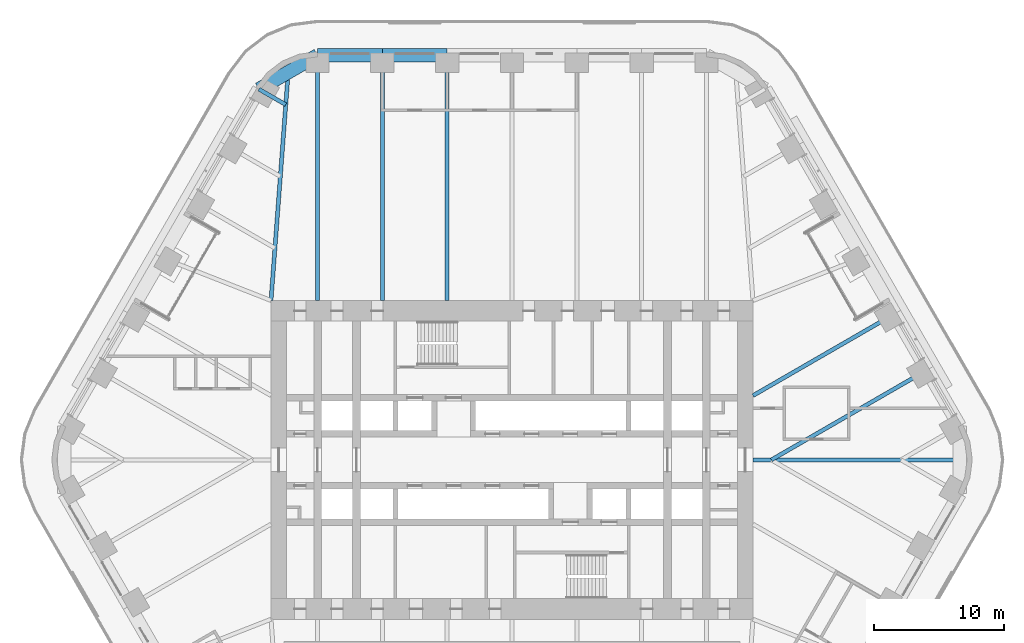
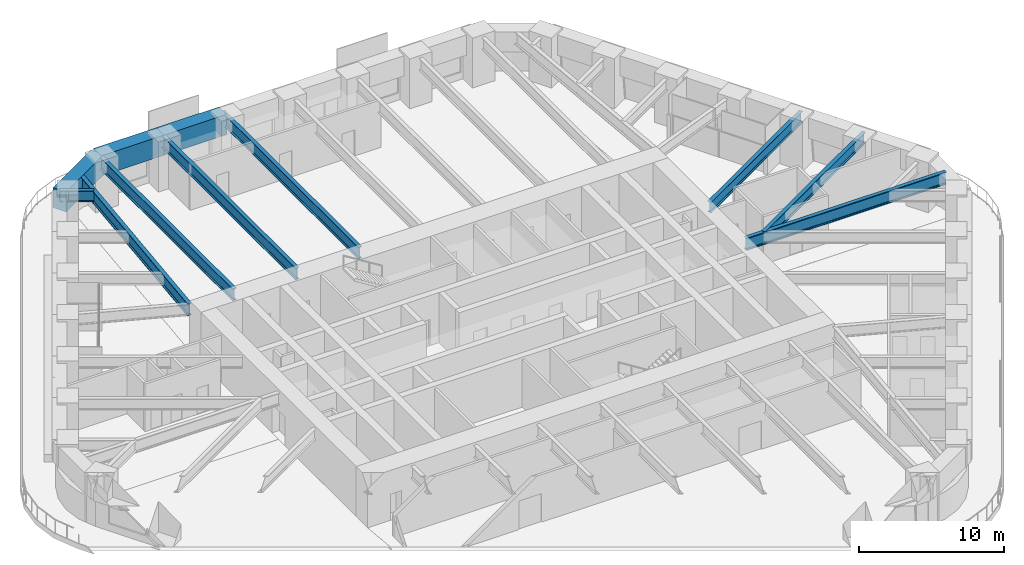
# One storey, part 10 of 24: 11 beams.
"""IFC4 building model written with IfcOpenShell, lengths in metres."""

from ifc_helpers import new_model, si_unit, direction, frame, origin, origin_2d, place, context, subcontext, project, spatial, rectangle, i_section, extrude, material, material_profile, profile_set, type_object, element, save


model = new_model("IFC4")

# Units and contexts
model_context = context("Model", 3, precision=1e-05, world=origin(), true_north=direction((0.0, 1.0)))
body_context = subcontext(model_context, "Body", "Model", "MODEL_VIEW")
ifc_project = project(units=[si_unit("LENGTHUNIT", "METRE"), si_unit("AREAUNIT", "SQUARE_METRE"), si_unit("VOLUMEUNIT", "CUBIC_METRE"), si_unit("PLANEANGLEUNIT", "RADIAN"), si_unit("MASSUNIT", "GRAM", prefix="KILO")], contexts=[model_context])

# Site, building, storey
site_placement = place(None, origin())
site = spatial("IfcSite", under=ifc_project, at=site_placement, CompositionType="ELEMENT")
building_placement = place(site_placement, origin())
building = spatial("IfcBuilding", under=site, at=building_placement, Name="Tarfa Lantern Tower", CompositionType="ELEMENT")
storey_placement = place(building_placement, frame((0.0, 0.0, 127.89990234375)))
storey = spatial("IfcBuildingStorey", under=building, at=storey_placement, Name="L28", CompositionType="ELEMENT", Elevation=127.89990234375)

# Beams
ifc_material_1 = material(Name="Concrete C80/95", Category="concrete")
ifc_material_profile_1 = material_profile(ifc_material_1, rectangle(XDim=1.050048828125, YDim=1.699951171875, at=origin_2d()), Name="RC 1050x1700")
ifc_profile_set_1 = profile_set([ifc_material_profile_1], Name="Concrete C80/95")
beam_type_1 = type_object("IfcBeamType", Name="RB2 RC 1050x1700", PredefinedType="BEAM", material=ifc_profile_set_1)
for number, where, z_axis, x_axis, name in (
    (1, (-5.003662109375, 31.219970703125, 3.150146484375), (-1.0, 0.0, 0.0), (0.0, -1.0, 0.0), "Edge beam N4"),
    (2, (-10.00732421875, 31.219970703125, 3.150146484375), (-1.0, 0.0, 0.0), (0.0, -1.0, 0.0), "Edge beam N5"),
):
    element("IfcBeam", number, at=place(storey_placement, frame(where, z_axis=z_axis, x_axis=x_axis)), inside=storey, type_object=beam_type_1, Name=name, PredefinedType="BEAM", context=body_context, shape_type="SweptSolid", body=[
        extrude(rectangle(XDim=1.050048828125, YDim=1.699951171875, at=origin_2d()), origin(), (0.0, 0.0, 1.0), 5.003662109375),
    ])
beam_1_placement = place(storey_placement, frame((-15.010986328125, 31.219970703125, 3.150146484375), z_axis=(-0.86604150238, -0.499972115377, 0.0), x_axis=(0.499972115377, -0.86604150238, 0.0)))
element("IfcBeam", 3, at=beam_1_placement, inside=storey, type_object=beam_type_1, Name="Edge beam N6", PredefinedType="BEAM", context=body_context, shape_type="SweptSolid", body=[
    extrude(rectangle(XDim=1.050048828125, YDim=1.699951171875, at=origin_2d()), origin(), (0.0, 0.0, 1.0), 5.219970703125),
])
ifc_material_2 = material(Name="Steel S460M", Category="steel")
ifc_material_profile_2 = material_profile(ifc_material_2, i_section(OverallWidth=0.302001953125, OverallDepth=1.008056640625, WebThickness=0.02099609375, FlangeThickness=0.0400390625, FilletRadius=0.030029296875, at=origin_2d()), Name="UB1016x305x349")
ifc_profile_set_2 = profile_set([ifc_material_profile_2], Name="Steel S460M")
beam_type_2 = type_object("IfcBeamType", Name="UB1016x305x349", PredefinedType="BEAM", material=ifc_profile_set_2)
for number, where, z_axis, x_axis, name in (
    (4, (-5.003662109375, 31.219970703125, 3.49609375), (0.0, -1.0, 0.0), (1.0, 0.0, 0.0), "Floor beam N4"),
    (5, (-10.00732421875, 31.219970703125, 3.49609375), (0.0, -1.0, 0.0), (1.0, 0.0, 0.0), "Floor beam N5"),
    (6, (-15.010986328125, 31.219970703125, 3.49609375), (0.0, -1.0, 0.0), (1.0, 0.0, 0.0), "Floor beam N6"),
):
    element("IfcBeam", number, at=place(storey_placement, frame(where, z_axis=z_axis, x_axis=x_axis)), inside=storey, type_object=beam_type_2, Name=name, PredefinedType="BEAM", context=body_context, shape_type="SweptSolid", body=[
        extrude(i_section(OverallWidth=0.302001953125, OverallDepth=1.008056640625, WebThickness=0.02099609375, FlangeThickness=0.0400390625, FilletRadius=0.030029296875, at=origin_2d()), origin(), (0.0, 0.0, 1.0), 18.919921875),
    ])
ifc_material_profile_3 = material_profile(ifc_material_2, i_section(OverallWidth=0.30859375, OverallDepth=1.036376953125, WebThickness=0.030029296875, FlangeThickness=0.05419921875, FilletRadius=0.030029296875, at=origin_2d()), Name="UB1016x305x487")
ifc_profile_set_3 = profile_set([ifc_material_profile_3], Name="Steel S460M")
beam_type_3 = type_object("IfcBeamType", Name="UB1016x305x487", PredefinedType="BEAM", material=ifc_profile_set_3)
beam_2_placement = place(storey_placement, frame((18.60009765625, 0.0, 3.48193359375), z_axis=(1.0, 0.0, 0.0), x_axis=(0.0, 1.0, 0.0)))
element("IfcBeam", 7, at=beam_2_placement, inside=storey, type_object=beam_type_3, Name="Hip girder E", PredefinedType="BEAM", context=body_context, shape_type="SweptSolid", body=[
    extrude(i_section(OverallWidth=0.30859375, OverallDepth=1.036376953125, WebThickness=0.030029296875, FlangeThickness=0.05419921875, FilletRadius=0.030029296875, at=origin_2d()), origin(), (0.0, 0.0, 1.0), 15.94287109375),
])
beam_3_placement = place(storey_placement, frame((-18.60009765625, 12.300048828125, 3.48193359375), z_axis=(0.075211516041, 0.99716760269, 0.0), x_axis=(-0.99716760269, 0.075211516041, 0.0)))
element("IfcBeam", 8, at=beam_3_placement, inside=storey, type_object=beam_type_3, Name="Hip girder NW", PredefinedType="BEAM", context=body_context, shape_type="SweptSolid", body=[
    extrude(i_section(OverallWidth=0.30859375, OverallDepth=1.036376953125, WebThickness=0.030029296875, FlangeThickness=0.05419921875, FilletRadius=0.030029296875, at=origin_2d()), origin(), (0.0, 0.0, 1.0), 17.6650390625),
])
ifc_material_profile_4 = material_profile(ifc_material_2, i_section(OverallWidth=0.305419921875, OverallDepth=0.91845703125, WebThickness=0.017333984375, FlangeThickness=0.02783203125, FilletRadius=0.01904296875, at=origin_2d()), Name="UB914x305x253")
ifc_profile_set_4 = profile_set([ifc_material_profile_4], Name="Steel S460M")
beam_type_4 = type_object("IfcBeamType", Name="UB914x305x253", PredefinedType="BEAM", material=ifc_profile_set_4)
beam_4_placement = place(storey_placement, frame((32.041015625, 6.943359375, 3.541015625), z_axis=(-0.866023096411, -0.500003996466, 0.0), x_axis=(0.500003996466, -0.866023096411, 0.0)))
element("IfcBeam", 9, at=beam_4_placement, inside=storey, type_object=beam_type_4, Name="Floor beam NE1", PredefinedType="BEAM", context=body_context, shape_type="SweptSolid", body=[
    extrude(i_section(OverallWidth=0.305419921875, OverallDepth=0.91845703125, WebThickness=0.017333984375, FlangeThickness=0.02783203125, FilletRadius=0.01904296875, at=origin_2d()), origin(), (0.0, 0.0, 1.0), 13.88671875),
])
beam_5_placement = place(storey_placement, frame((29.5390625, 11.276611328125, 3.541015625), z_axis=(-0.866023362995, -0.500003534735, 0.0), x_axis=(0.500003534735, -0.866023362995, 0.0)))
element("IfcBeam", 10, at=beam_5_placement, inside=storey, type_object=beam_type_4, Name="Floor beam NE2", PredefinedType="BEAM", context=body_context, shape_type="SweptSolid", body=[
    extrude(i_section(OverallWidth=0.305419921875, OverallDepth=0.91845703125, WebThickness=0.017333984375, FlangeThickness=0.02783203125, FilletRadius=0.01904296875, at=origin_2d()), origin(), (0.0, 0.0, 1.0), 12.63134765625),
])
beam_6_placement = place(storey_placement, frame((-19.53173828125, 28.610107421875, 3.541015625), z_axis=(0.865998640954, -0.500046351717, 0.0), x_axis=(0.500046351717, 0.865998640954, 0.0)))
element("IfcBeam", 11, at=beam_6_placement, inside=storey, type_object=beam_type_4, Name="Floor beam NW0", PredefinedType="BEAM", context=body_context, shape_type="SweptSolid", body=[
    extrude(i_section(OverallWidth=0.305419921875, OverallDepth=0.91845703125, WebThickness=0.017333984375, FlangeThickness=0.02783203125, FilletRadius=0.01904296875, at=origin_2d()), origin(), (0.0, 0.0, 1.0), 2.392333984375),
])

save(model, "model.ifc")
